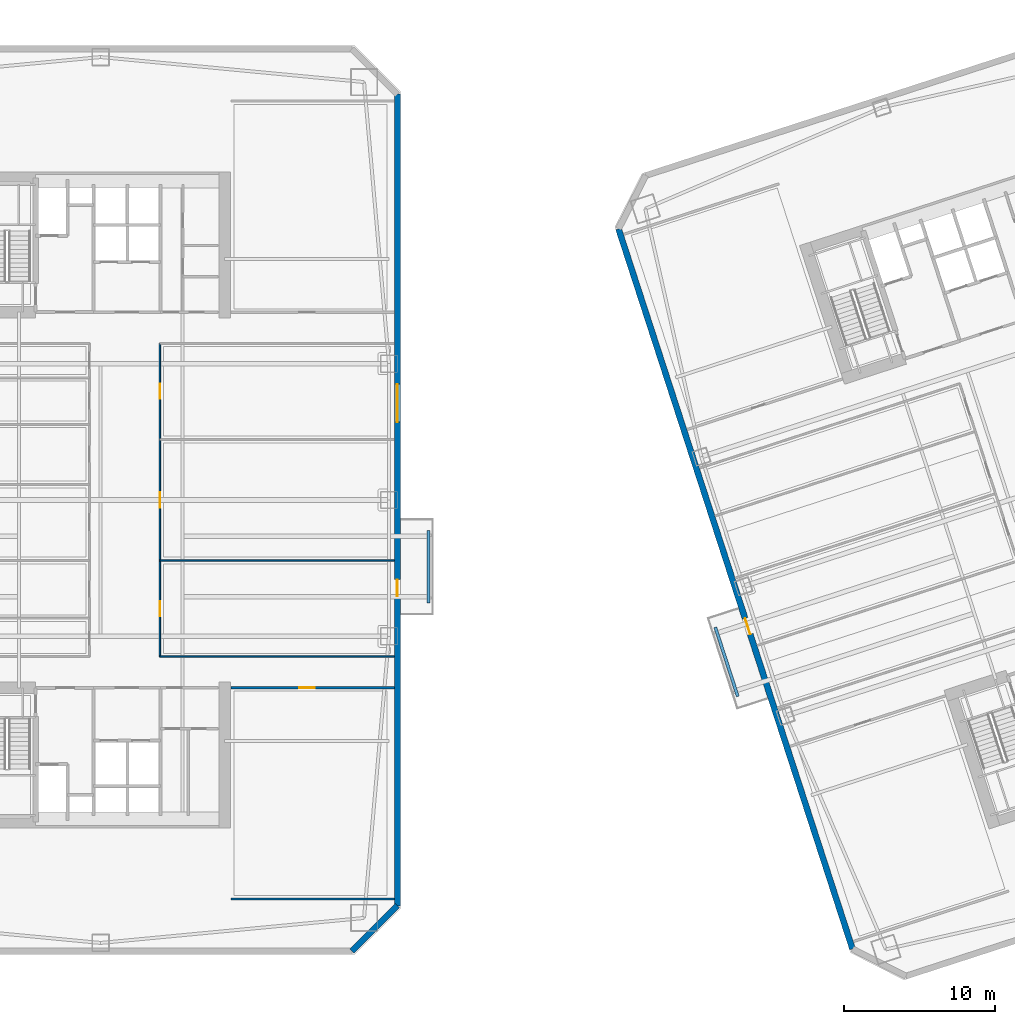
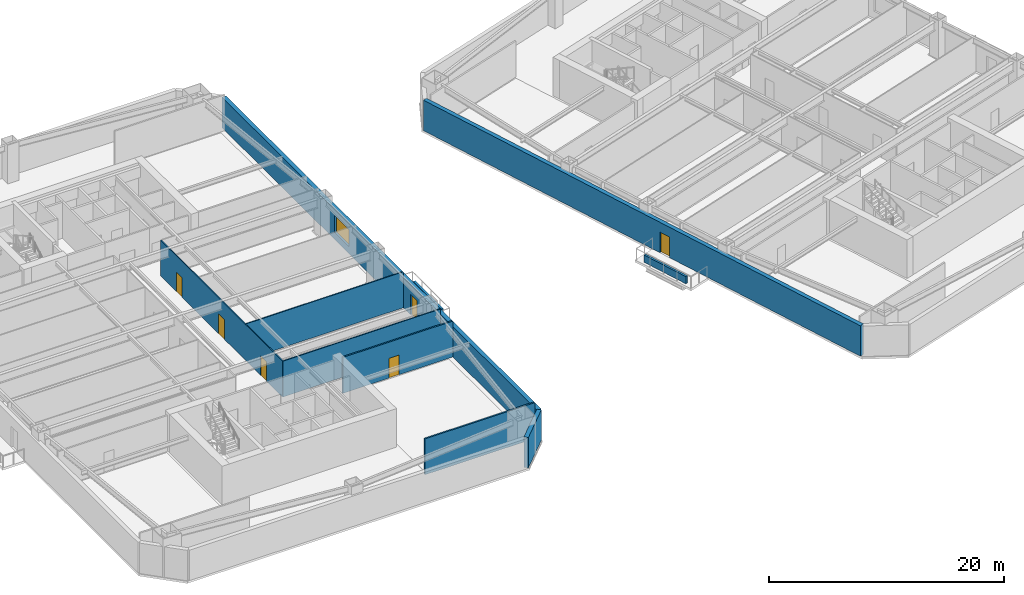
# One storey, part 5 of 18: 10 walls, 6 doors, 1 window, 7 openings.
"""IFC4 building model written with IfcOpenShell, lengths in metres."""

from ifc_helpers import new_model, si_unit, direction, frame, frame_2d, origin, place, context, subcontext, project, spatial, rectangle, extrude, material, layer, layer_set, type_object, element, fill, save


model = new_model("IFC4")

# Units and contexts
model_context = context("Model", 3, precision=1e-05, world=origin(), true_north=direction((0.0, 1.0)))
body_context = subcontext(model_context, "Body", "Model", "MODEL_VIEW")
ifc_project = project(units=[si_unit("LENGTHUNIT", "METRE"), si_unit("AREAUNIT", "SQUARE_METRE"), si_unit("VOLUMEUNIT", "CUBIC_METRE"), si_unit("PLANEANGLEUNIT", "RADIAN"), si_unit("MASSUNIT", "GRAM", prefix="KILO")], contexts=[model_context])

# Site, building, storey
site_placement = place(None, origin())
site = spatial("IfcSite", under=ifc_project, at=site_placement, CompositionType="ELEMENT")
building_placement = place(site_placement, origin())
building = spatial("IfcBuilding", under=site, at=building_placement, Name="Qiaolan Cultural Towers", CompositionType="ELEMENT")
storey_placement = place(building_placement, frame((0.0, 0.0, 38.0)))
storey = spatial("IfcBuildingStorey", under=building, at=storey_placement, Name="L08", CompositionType="ELEMENT", Elevation=38.0)

# Wall, openings, door, window
ifc_material_1 = material(Name="Precast Concrete C50 Honed Stone Pier", Category="masonry")
ifc_layer_1 = layer(ifc_material_1, 0.39990234375)
ifc_layer_set_1 = layer_set([ifc_layer_1], Name="Precast Concrete C50 Honed Stone Pier")
wall_type_1 = type_object("IfcWallType", Name="WL-EXT-PIER-400", PredefinedType="SOLIDWALL", material=ifc_layer_set_1)
wall_1_placement = place(storey_placement, frame((49.60009765625, 60.800048828125, 0.0), z_axis=(0.0, 0.0, 1.0), x_axis=(0.0, -1.0, 0.0)))
wall_1 = element("IfcWall", 1, at=wall_1_placement, inside=storey, type_object=wall_type_1, Name="L08 West Tower Precast Pier Facade Wall F5", PredefinedType="SOLIDWALL", context=body_context, shape_type="SweptSolid", body=[
    extrude(rectangle(XDim=53.60009765625, YDim=0.39990234375, at=frame_2d((26.800048828125, 0.0))), origin(), (0.0, 0.0, 1.0), 3.159912109375),
])
opening_1_placement = place(wall_1_placement, frame((19.14990234375, 0.0, 0.75)))
opening_1 = element("IfcOpeningElement", 2, at=opening_1_placement, cuts=wall_1, Name="Opening W-01", PredefinedType="OPENING", context=body_context, shape_type="SweptSolid", body=[
    extrude(rectangle(XDim=2.5, YDim=1.75, at=frame_2d((1.25, 0.875))), frame((0.0, 0.2099609375, 0.0), z_axis=(0.0, -1.0, 0.0), x_axis=(1.0, 0.0, 0.0)), (0.0, 0.0, 1.0), 0.419921875),
])
opening_2_placement = place(wall_1_placement, frame((32.050048828125, 0.0, 0.0)))
opening_2 = element("IfcOpeningElement", 3, at=opening_2_placement, cuts=wall_1, Name="Opening BD-01", PredefinedType="OPENING", context=body_context, shape_type="SweptSolid", body=[
    extrude(rectangle(XDim=1.10009765625, YDim=2.14990234375, at=frame_2d((0.550048828125, 1.074951171875))), frame((0.0, 0.2099609375, 0.0), z_axis=(0.0, -1.0, 0.0), x_axis=(1.0, 0.0, 0.0)), (0.0, 0.0, 1.0), 0.419921875),
])
ifc_material_2 = material(Name="Thermally Broken Aluminium Glazed Terrace Door", Category="aluminium")
door_type_1 = type_object("IfcDoorType", Name="DR-BAL-1100", OperationType="NOTDEFINED", PredefinedType="DOOR", material=ifc_material_2)
door_1_placement = place(opening_2_placement, origin())
door_1 = element("IfcDoor", 4, at=door_1_placement, inside=storey, type_object=door_type_1, Name="L08 T1 East Tree Balcony Door", OperationType="SINGLE_SWING_RIGHT", OverallHeight=2.14990234375, OverallWidth=1.10009765625, PredefinedType="DOOR", context=body_context, shape_type="SweptSolid", body=[
    extrude(rectangle(XDim=1.10009765625, YDim=2.14990234375, at=frame_2d((0.550048828125, 1.074951171875))), frame((0.0, 0.02490234375, 0.0), z_axis=(0.0, -1.0, 0.0), x_axis=(1.0, 0.0, 0.0)), (0.0, 0.0, 1.0), 0.050048828125),
])
fill(opening_2, door_1)
ifc_material_3 = material(Name="Thermally Broken Aluminium Triple Low-E Glazing", Category="aluminium")
window_type = type_object("IfcWindowType", Name="WN-CHIC-2500", PartitioningType="SINGLE_PANEL", PredefinedType="WINDOW", material=ifc_material_3)
window_placement = place(opening_1_placement, origin())
window = element("IfcWindow", 5, at=window_placement, inside=storey, type_object=window_type, Name="L08 T1 E Chicago Bay Window 1", OverallHeight=1.75, OverallWidth=2.5, PartitioningType="TRIPLE_PANEL_VERTICAL", PredefinedType="WINDOW", context=body_context, shape_type="SweptSolid", body=[
    extrude(rectangle(XDim=2.5, YDim=1.75, at=frame_2d((1.25, 0.875))), frame((0.0, 0.030029296875, 0.0), z_axis=(0.0, -1.0, 0.0), x_axis=(1.0, 0.0, 0.0)), (0.0, 0.0, 1.0), 0.06005859375),
])
fill(opening_1, window)

# Wall
wall_2_placement = place(storey_placement, frame((49.60009765625, 7.199951171875, 0.0), z_axis=(0.0, 0.0, 1.0), x_axis=(-0.707106781187, -0.707106781187, 0.0)))
element("IfcWall", 6, at=wall_2_placement, inside=storey, type_object=wall_type_1, Name="L08 West Tower Precast Pier Facade Wall F6", PredefinedType="SOLIDWALL", context=body_context, shape_type="SweptSolid", body=[
    extrude(rectangle(XDim=4.24267578125, YDim=0.39990234375, at=frame_2d((2.121337890625, 0.0))), origin(), (0.0, 0.0, 1.0), 3.159912109375),
])

# Wall, opening, door
wall_3_placement = place(storey_placement, frame((79.6552734375, 4.352294921875, 0.0), z_axis=(0.0, 0.0, 1.0), x_axis=(-0.309014526607, 0.951057318118, 0.0)))
wall_3 = element("IfcWall", 7, at=wall_3_placement, inside=storey, type_object=wall_type_1, Name="L08 East Tower Precast Pier Facade Wall F1", PredefinedType="SOLIDWALL", context=body_context, shape_type="SweptSolid", body=[
    extrude(rectangle(XDim=49.999755859375, YDim=0.39990234375, at=frame_2d((25.0, 0.0))), origin(), (0.0, 0.0, 1.0), 3.159912109375),
])
opening_3_placement = place(wall_3_placement, frame((21.85009765625, 0.0, 0.0)))
opening_3 = element("IfcOpeningElement", 8, at=opening_3_placement, cuts=wall_3, Name="Opening BD-01", PredefinedType="OPENING", context=body_context, shape_type="SweptSolid", body=[
    extrude(rectangle(XDim=1.10009765625, YDim=2.14990234375, at=frame_2d((0.550048828125, 1.074951171875))), frame((0.0, 0.2099609375, 0.0), z_axis=(0.0, -1.0, 0.0), x_axis=(1.0, 0.0, 0.0)), (0.0, 0.0, 1.0), 0.419921875),
])
door_2_placement = place(opening_3_placement, origin())
door_2 = element("IfcDoor", 9, at=door_2_placement, inside=storey, type_object=door_type_1, Name="L08 T2 West Tree Balcony Door", OperationType="SINGLE_SWING_LEFT", OverallHeight=2.14990234375, OverallWidth=1.10009765625, PredefinedType="DOOR", context=body_context, shape_type="SweptSolid", body=[
    extrude(rectangle(XDim=1.10009765625, YDim=2.14990234375, at=frame_2d((0.550048828125, 1.074951171875))), frame((0.0, 0.02490234375, 0.0), z_axis=(0.0, -1.0, 0.0), x_axis=(1.0, 0.0, 0.0)), (0.0, 0.0, 1.0), 0.050048828125),
])
fill(opening_3, door_2)

# Wall
ifc_material_4 = material(Name="Acoustic Double-Glazed Partition Frame", Category="glass")
ifc_layer_2 = layer(ifc_material_4, 0.10009765625)
ifc_layer_set_2 = layer_set([ifc_layer_2], Name="Acoustic Double-Glazed Partition Frame")
wall_type_2 = type_object("IfcWallType", Name="WL-GLAZED-100", PredefinedType="MOVABLE", material=ifc_layer_set_2)
wall_4_placement = place(storey_placement, frame((33.925048828125, 23.64990234375, 0.0), z_axis=(0.0, 0.0, 1.0), x_axis=(1.0, 0.0, 0.0)))
element("IfcWall", 10, at=wall_4_placement, inside=storey, type_object=wall_type_2, Name="L08 T1 South Corridor Right Wall", PredefinedType="MOVABLE", context=body_context, shape_type="SweptSolid", body=[
    extrude(rectangle(XDim=15.474853515625, YDim=0.10009765625, at=frame_2d((7.7373046875, 0.0))), origin(), (0.0, 0.0, 1.0), 3.72509765625),
])

# Wall, openings, doors
wall_5_placement = place(storey_placement, frame((33.925048828125, 23.64990234375, 0.0), z_axis=(0.0, 0.0, 1.0), x_axis=(0.0, 1.0, 0.0)))
wall_5 = element("IfcWall", 11, at=wall_5_placement, inside=storey, type_object=wall_type_2, Name="L08 T1 East Spine Wall", PredefinedType="MOVABLE", context=body_context, shape_type="SweptSolid", body=[
    extrude(rectangle(XDim=20.7001953125, YDim=0.10009765625, at=frame_2d((10.35009765625, 0.0))), origin(), (0.0, 0.0, 1.0), 3.72509765625),
])
opening_4_placement = place(wall_5_placement, frame((2.675048828125, 0.0, 0.0)))
opening_4 = element("IfcOpeningElement", 12, at=opening_4_placement, cuts=wall_5, Name="Opening ID-04", PredefinedType="OPENING", context=body_context, shape_type="SweptSolid", body=[
    extrude(rectangle(XDim=1.0, YDim=2.050048828125, at=frame_2d((0.5, 1.02490234375))), frame((0.0, 0.06005859375, 0.0), z_axis=(0.0, -1.0, 0.0), x_axis=(1.0, 0.0, 0.0)), (0.0, 0.0, 1.0), 0.1201171875),
])
opening_5_placement = place(wall_5_placement, frame((9.85009765625, 0.0, 0.0)))
opening_5 = element("IfcOpeningElement", 13, at=opening_5_placement, cuts=wall_5, Name="Opening ID-04", PredefinedType="OPENING", context=body_context, shape_type="SweptSolid", body=[
    extrude(rectangle(XDim=1.0, YDim=2.050048828125, at=frame_2d((0.5, 1.02490234375))), frame((0.0, 0.06005859375, 0.0), z_axis=(0.0, -1.0, 0.0), x_axis=(1.0, 0.0, 0.0)), (0.0, 0.0, 1.0), 0.1201171875),
])
opening_6_placement = place(wall_5_placement, frame((17.02490234375, 0.0, 0.0)))
opening_6 = element("IfcOpeningElement", 14, at=opening_6_placement, cuts=wall_5, Name="Opening ID-04", PredefinedType="OPENING", context=body_context, shape_type="SweptSolid", body=[
    extrude(rectangle(XDim=1.0, YDim=2.050048828125, at=frame_2d((0.5, 1.02490234375))), frame((0.0, 0.06005859375, 0.0), z_axis=(0.0, -1.0, 0.0), x_axis=(1.0, 0.0, 0.0)), (0.0, 0.0, 1.0), 0.1201171875),
])
ifc_material_5 = material(Name="Oak Veneer Acoustic Office Door", Category="timber")
door_type_2 = type_object("IfcDoorType", Name="DR-INT-1000", OperationType="NOTDEFINED", PredefinedType="DOOR", material=ifc_material_5)
door_3_placement = place(opening_4_placement, origin())
door_3 = element("IfcDoor", 15, at=door_3_placement, inside=storey, type_object=door_type_2, Name="L08 T1 Cultural Bookstore Gallery Door", OperationType="SINGLE_SWING_RIGHT", OverallHeight=2.050048828125, OverallWidth=1.0, PredefinedType="DOOR", context=body_context, shape_type="SweptSolid", body=[
    extrude(rectangle(XDim=1.0, YDim=2.050048828125, at=frame_2d((0.5, 1.02490234375))), frame((0.0, 0.02490234375, 0.0), z_axis=(0.0, -1.0, 0.0), x_axis=(1.0, 0.0, 0.0)), (0.0, 0.0, 1.0), 0.050048828125),
])
fill(opening_4, door_3)
door_4_placement = place(opening_5_placement, origin())
door_4 = element("IfcDoor", 16, at=door_4_placement, inside=storey, type_object=door_type_2, Name="L08 T1 Design Archive Studio Door", OperationType="SINGLE_SWING_LEFT", OverallHeight=2.050048828125, OverallWidth=1.0, PredefinedType="DOOR", context=body_context, shape_type="SweptSolid", body=[
    extrude(rectangle(XDim=1.0, YDim=2.050048828125, at=frame_2d((0.5, 1.02490234375))), frame((0.0, 0.02490234375, 0.0), z_axis=(0.0, -1.0, 0.0), x_axis=(1.0, 0.0, 0.0)), (0.0, 0.0, 1.0), 0.050048828125),
])
fill(opening_5, door_4)
door_5_placement = place(opening_6_placement, origin())
door_5 = element("IfcDoor", 17, at=door_5_placement, inside=storey, type_object=door_type_2, Name="L08 T1 Staff Dining Kitchen Door", OperationType="SINGLE_SWING_RIGHT", OverallHeight=2.050048828125, OverallWidth=1.0, PredefinedType="DOOR", context=body_context, shape_type="SweptSolid", body=[
    extrude(rectangle(XDim=1.0, YDim=2.050048828125, at=frame_2d((0.5, 1.02490234375))), frame((0.0, 0.02490234375, 0.0), z_axis=(0.0, -1.0, 0.0), x_axis=(1.0, 0.0, 0.0)), (0.0, 0.0, 1.0), 0.050048828125),
])
fill(opening_6, door_5)

# Walls
wall_6_placement = place(storey_placement, frame((33.925048828125, 30.0, 0.0), z_axis=(0.0, 0.0, 1.0), x_axis=(1.0, 0.0, 0.0)))
element("IfcWall", 18, at=wall_6_placement, inside=storey, type_object=wall_type_2, Name="L08 T1 East Partition 1", PredefinedType="MOVABLE", context=body_context, shape_type="SweptSolid", body=[
    extrude(rectangle(XDim=15.474853515625, YDim=0.10009765625, at=frame_2d((7.7373046875, 0.0))), origin(), (0.0, 0.0, 1.0), 3.72509765625),
])
ifc_material_6 = material(Name="Autoclaved Aerated Concrete Block B06", Category="concrete")
ifc_layer_3 = layer(ifc_material_6, 0.14990234375)
ifc_layer_set_3 = layer_set([ifc_layer_3], Name="Autoclaved Aerated Concrete Block B06")
wall_type_3 = type_object("IfcWallType", Name="WL-PART-150", PredefinedType="PARTITIONING", material=ifc_layer_set_3)
wall_7_placement = place(storey_placement, frame((38.60009765625, 7.64990234375, 0.0), z_axis=(0.0, 0.0, 1.0), x_axis=(1.0, 0.0, 0.0)))
element("IfcWall", 19, at=wall_7_placement, inside=storey, type_object=wall_type_3, Name="L08 T1 Flank Wall FLK-SE", PredefinedType="PARTITIONING", context=body_context, shape_type="SweptSolid", body=[
    extrude(rectangle(XDim=10.7998046875, YDim=0.14990234375, at=frame_2d((5.39990234375, 0.0))), origin(), (0.0, 0.0, 1.0), 3.72509765625),
])

# Wall, opening, door
wall_8_placement = place(storey_placement, frame((38.60009765625, 21.60009765625, 0.0), z_axis=(0.0, 0.0, 1.0), x_axis=(1.0, 0.0, 0.0)))
wall_8 = element("IfcWall", 20, at=wall_8_placement, inside=storey, type_object=wall_type_3, Name="L08 T1 Flank Front FLK-SE", PredefinedType="PARTITIONING", context=body_context, shape_type="SweptSolid", body=[
    extrude(rectangle(XDim=10.7998046875, YDim=0.14990234375, at=frame_2d((5.39990234375, 0.0))), origin(), (0.0, 0.0, 1.0), 3.72509765625),
])
opening_7_placement = place(wall_8_placement, frame((4.535888671875, 0.0, 0.0)))
opening_7 = element("IfcOpeningElement", 21, at=opening_7_placement, cuts=wall_8, Name="Opening ID-04", PredefinedType="OPENING", context=body_context, shape_type="SweptSolid", body=[
    extrude(rectangle(XDim=1.0, YDim=2.050048828125, at=frame_2d((0.5, 1.02490234375))), frame((0.0, 0.0849609375, 0.0), z_axis=(0.0, -1.0, 0.0), x_axis=(1.0, 0.0, 0.0)), (0.0, 0.0, 1.0), 0.169921875),
])
door_6_placement = place(opening_7_placement, origin())
door_6 = element("IfcDoor", 22, at=door_6_placement, inside=storey, type_object=door_type_2, Name="L08 T1 Corner Studio Door", OperationType="SINGLE_SWING_LEFT", OverallHeight=2.050048828125, OverallWidth=1.0, PredefinedType="DOOR", context=body_context, shape_type="SweptSolid", body=[
    extrude(rectangle(XDim=1.0, YDim=2.050048828125, at=frame_2d((0.5, 1.02490234375))), frame((0.0, 0.02490234375, 0.0), z_axis=(0.0, -1.0, 0.0), x_axis=(1.0, 0.0, 0.0)), (0.0, 0.0, 1.0), 0.050048828125),
])
fill(opening_7, door_6)

# Walls
ifc_material_7 = material(Name="Precast Concrete C45 Tree Planter Upstand", Category="concrete")
ifc_layer_4 = layer(ifc_material_7, 0.199951171875)
ifc_layer_set_4 = layer_set([ifc_layer_4], Name="Precast Concrete C45 Tree Planter Upstand")
wall_type_4 = type_object("IfcWallType", Name="WL-PLANTER-200", PredefinedType="PARAPET", material=ifc_layer_set_4)
wall_9_placement = place(storey_placement, frame((51.64990234375, 27.199951171875, 0.0), z_axis=(0.0, 0.0, 1.0), x_axis=(0.0, 1.0, 0.0)))
element("IfcWall", 23, at=wall_9_placement, inside=storey, type_object=wall_type_4, Name="L08 T1 Tree Balcony Soil Planter Box E", PredefinedType="PARAPET", context=body_context, shape_type="SweptSolid", body=[
    extrude(rectangle(XDim=4.800048828125, YDim=0.199951171875, at=frame_2d((2.39990234375, 0.0))), origin(), (0.0, 0.0, 1.0), 0.75),
])
wall_10_placement = place(storey_placement, frame((72.08154296875, 21.028076171875, 0.0), z_axis=(0.0, 0.0, 1.0), x_axis=(-0.30900096172, 0.951061725471, 0.0)))
element("IfcWall", 24, at=wall_10_placement, inside=storey, type_object=wall_type_4, Name="L08 T2 Tree Balcony Soil Planter Box W", PredefinedType="PARAPET", context=body_context, shape_type="SweptSolid", body=[
    extrude(rectangle(XDim=4.7998046875, YDim=0.199951171875, at=frame_2d((2.39990234375, 0.0))), origin(), (0.0, 0.0, 1.0), 0.75),
])

save(model, "model.ifc")
